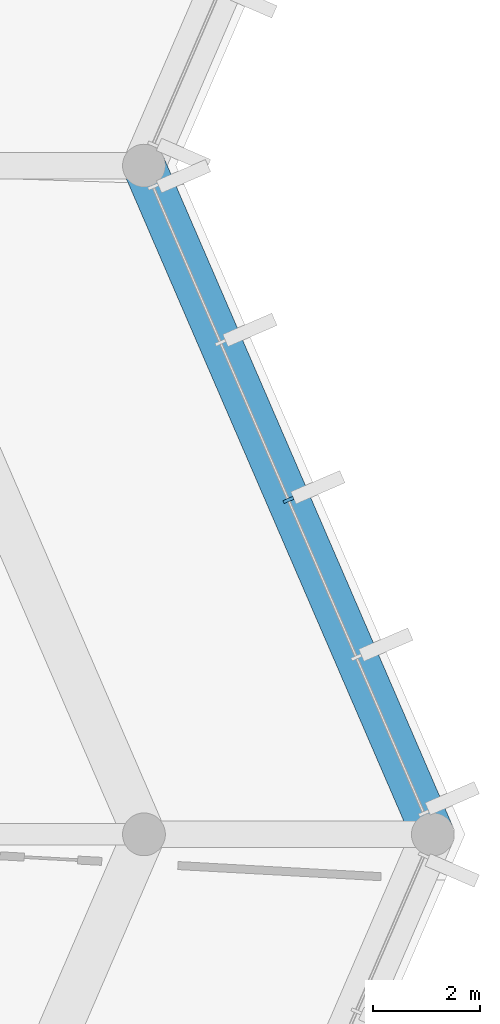
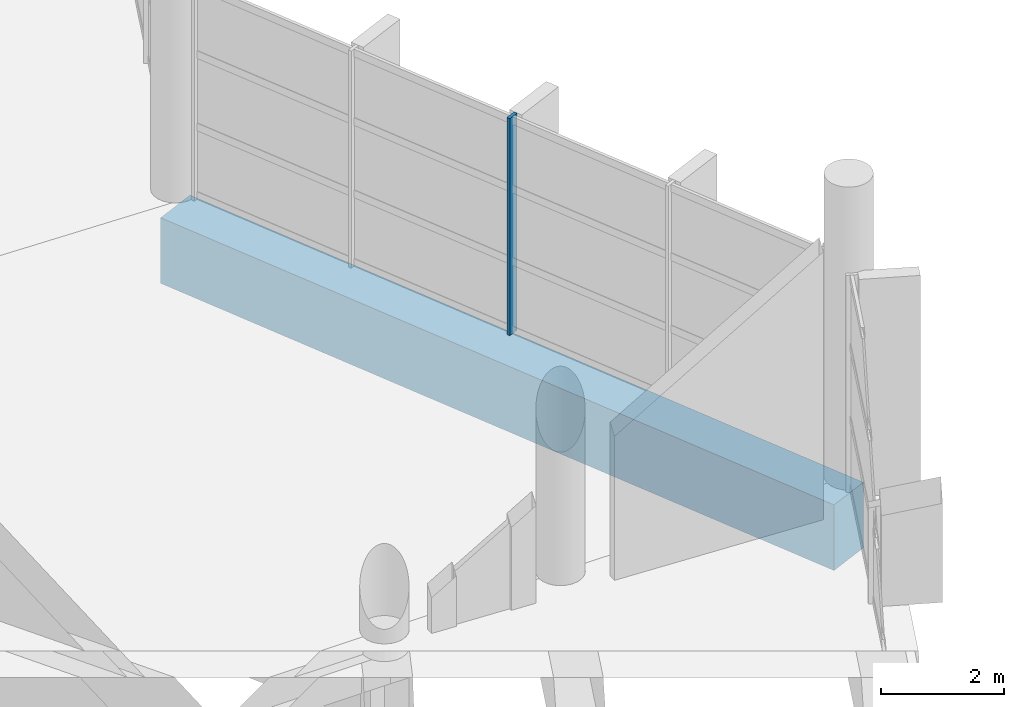
# One storey, part 48 of 249: 1 beam, 1 member, 1 element without a shape of its own.
"""IFC4 building model written with IfcOpenShell, lengths in metres."""

from ifc_helpers import new_model, si_unit, direction, frame, origin, origin_2d, place, context, subcontext, project, spatial, rectangle, extrude, material, layer, layer_set, material_profile, profile_set, type_object, element, aggregate, save


model = new_model("IFC4")

# Units and contexts
model_context = context("Model", 3, precision=1e-05, world=origin(), true_north=direction((0.0, 1.0)))
body_context = subcontext(model_context, "Body", "Model", "MODEL_VIEW")
ifc_project = project(units=[si_unit("LENGTHUNIT", "METRE"), si_unit("AREAUNIT", "SQUARE_METRE"), si_unit("VOLUMEUNIT", "CUBIC_METRE"), si_unit("PLANEANGLEUNIT", "RADIAN"), si_unit("MASSUNIT", "GRAM", prefix="KILO")], contexts=[model_context])

# Site, building, storey
site_placement = place(None, origin())
site = spatial("IfcSite", under=ifc_project, at=site_placement, CompositionType="ELEMENT")
building_placement = place(site_placement, origin())
building = spatial("IfcBuilding", under=site, at=building_placement, Name="Meseta Stadium", CompositionType="ELEMENT")
storey_placement = place(building_placement, frame((0.0, 0.0, 12.0)))
storey = spatial("IfcBuildingStorey", under=building, at=storey_placement, Name="L02", CompositionType="ELEMENT", Elevation=12.0)

# Beam
ifc_material_1 = material(Name="Concrete C40/50", Category="concrete")
ifc_material_profile_1 = material_profile(ifc_material_1, rectangle(XDim=0.800048828125, YDim=1.300048828125, at=origin_2d()), Name="RC 800x1300")
ifc_profile_set_1 = profile_set([ifc_material_profile_1], Name="Concrete C40/50")
beam_type = type_object("IfcBeamType", Name="RC beam 800x1300", PredefinedType="BEAM", material=ifc_profile_set_1)
beam_placement = place(storey_placement, frame((113.39990234375, -31.25, -1.0), z_axis=(-0.396570645327, 0.918004206562, 0.0), x_axis=(-0.918004206562, -0.396570645327, 0.0)))
element("IfcBeam", 1, at=beam_placement, inside=storey, type_object=beam_type, Name="L02 ring beam frame 2 line O", PredefinedType="BEAM", context=body_context, shape_type="SweptSolid", body=[
    extrude(rectangle(XDim=0.800048828125, YDim=1.300048828125, at=origin_2d()), origin(), (0.0, 0.0, 1.0), 13.616455078125),
])

# Curtain wall, member
ifc_material_2 = material(Name="Aluminium", Category="aluminium")
ifc_layer = layer(ifc_material_2, 0.199951171875)
ifc_layer_set = layer_set([ifc_layer], Name="Ring shopfront curtain wall")
curtain_wall_type = type_object("IfcCurtainWallType", Name="Ring shopfront curtain wall", PredefinedType="NOTDEFINED", material=ifc_layer_set)
curtain_wall_placement = place(storey_placement, origin())
curtain_wall = element("IfcCurtainWall", 2, at=curtain_wall_placement, inside=storey, type_object=curtain_wall_type, Name="Ring glazing L02 F02", PredefinedType="NOTDEFINED")
ifc_material_3 = material(Name="Aluminium", Category="aluminium")
ifc_material_profile_2 = material_profile(ifc_material_3, rectangle(XDim=0.199951171875, YDim=0.06005859375, at=origin_2d()), Name="CW 200x60")
ifc_profile_set_2 = profile_set([ifc_material_profile_2], Name="Aluminium")
member_type = type_object("IfcMemberType", Name="Ring CW mullion 60x200", PredefinedType="MULLION", material=ifc_profile_set_2)
member_placement = place(storey_placement, frame((110.699951171875, -25.0, 0.0), z_axis=(0.0, 0.0, 1.0), x_axis=(-0.91799986854, -0.396580687073, 0.0)))
member = element("IfcMember", 3, at=member_placement, type_object=member_type, Name="CWR1 mullion 3", PredefinedType="MULLION", context=body_context, shape_type="SweptSolid", body=[
    extrude(rectangle(XDim=0.199951171875, YDim=0.06005859375, at=origin_2d()), origin(), (0.0, 0.0, 1.0), 4.300048828125),
])
aggregate(curtain_wall, [member])

save(model, "model.ifc")
